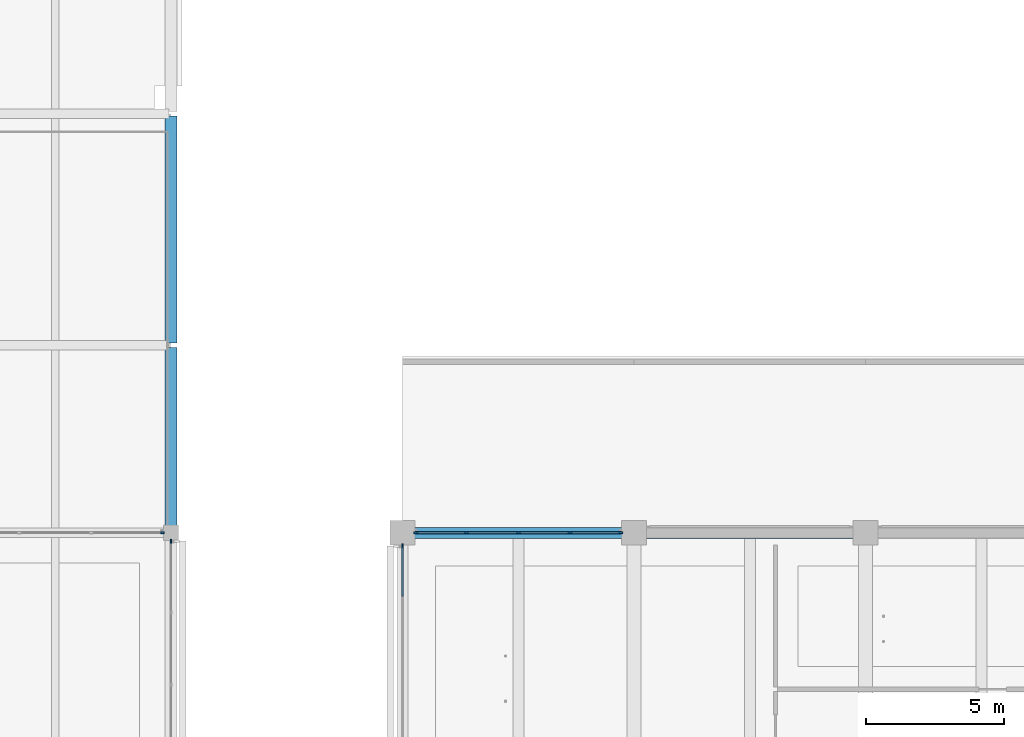
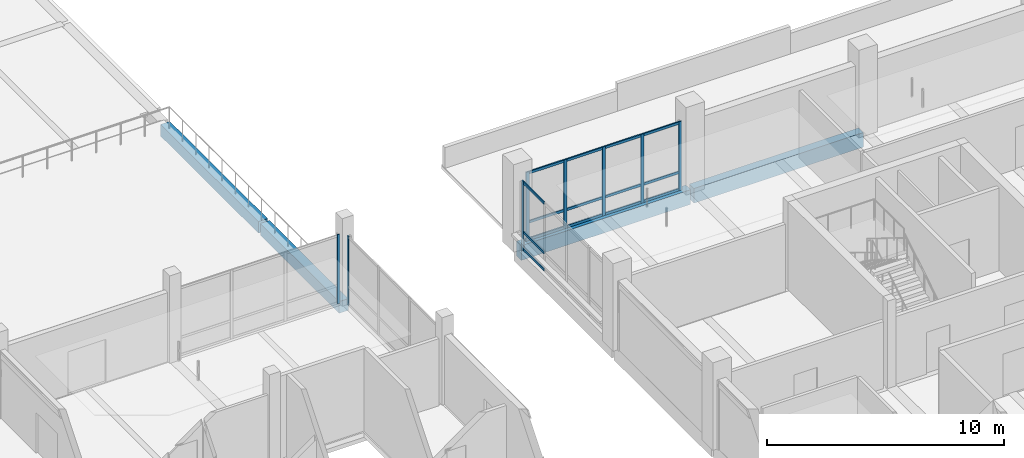
# One storey, part 11 of 59: 23 members, 4 beams, 4 elements without a shape of their own.
"""IFC4 building model written with IfcOpenShell, lengths in metres."""

from ifc_helpers import new_model, si_unit, direction, frame, origin, origin_2d, place, context, subcontext, project, spatial, rectangle, extrude, material, layer, layer_set, material_profile, profile_set, type_object, element, aggregate, save


model = new_model("IFC4")

# Units and contexts
model_context = context("Model", 3, precision=1e-05, world=origin(), true_north=direction((0.0, 1.0)))
body_context = subcontext(model_context, "Body", "Model", "MODEL_VIEW")
ifc_project = project(units=[si_unit("LENGTHUNIT", "METRE"), si_unit("AREAUNIT", "SQUARE_METRE"), si_unit("VOLUMEUNIT", "CUBIC_METRE"), si_unit("PLANEANGLEUNIT", "RADIAN"), si_unit("MASSUNIT", "GRAM", prefix="KILO")], contexts=[model_context])

# Site, building, storey
site_placement = place(None, origin())
site = spatial("IfcSite", under=ifc_project, at=site_placement, CompositionType="ELEMENT")
building_placement = place(site_placement, origin())
building = spatial("IfcBuilding", under=site, at=building_placement, Name="Telukmera Botanical Conservatory", CompositionType="ELEMENT")
storey_placement = place(building_placement, frame((0.0, 0.0, 15.0)))
storey = spatial("IfcBuildingStorey", under=building, at=storey_placement, Name="L03", CompositionType="ELEMENT", Elevation=15.0)

# Beams
ifc_material_1 = material(Name="Concrete C40/50", Category="concrete")
ifc_material_profile_1 = material_profile(ifc_material_1, rectangle(XDim=0.449951171875, YDim=0.60009765625, at=origin_2d()), Name="RC 450x600")
ifc_profile_set_1 = profile_set([ifc_material_profile_1], Name="Concrete C40/50")
beam_type_1 = type_object("IfcBeamType", Name="Beam_B17", PredefinedType="BEAM", material=ifc_profile_set_1)
beam_1_placement = place(storey_placement, frame((42.0, 42.8798828125, -0.300048828125), z_axis=(0.0, 1.0, 0.0), x_axis=(-1.0, 0.0, 0.0)))
element("IfcBeam", 1, at=beam_1_placement, inside=storey, type_object=beam_type_1, Name="Visitor Wing Transverse Beam L03", PredefinedType="BEAM", context=body_context, shape_type="SweptSolid", body=[
    extrude(rectangle(XDim=0.449951171875, YDim=0.60009765625, at=origin_2d()), origin(), (0.0, 0.0, 1.0), 6.64013671875),
])
beam_2_placement = place(storey_placement, frame((42.0, 49.679931640625, -0.300048828125), z_axis=(0.0, 1.0, 0.0), x_axis=(-1.0, 0.0, 0.0)))
element("IfcBeam", 2, at=beam_2_placement, inside=storey, type_object=beam_type_1, Name="Visitor Wing Transverse Beam L03", PredefinedType="BEAM", context=body_context, shape_type="SweptSolid", body=[
    extrude(rectangle(XDim=0.449951171875, YDim=0.60009765625, at=origin_2d()), origin(), (0.0, 0.0, 1.0), 8.239990234375),
])
ifc_material_2 = material(Name="Precast concrete C40/50", Category="concrete")
ifc_material_profile_2 = material_profile(ifc_material_2, rectangle(XDim=0.39990234375, YDim=0.75, at=origin_2d()), Name="PC 400x750")
ifc_profile_set_2 = profile_set([ifc_material_profile_2], Name="Precast concrete C40/50")
beam_type_2 = type_object("IfcBeamType", Name="Beam_SP1", PredefinedType="SPANDREL", material=ifc_profile_set_2)
beam_3_placement = place(storey_placement, frame((50.47998046875, 42.800048828125, -0.375), z_axis=(1.0, 0.0, 0.0), x_axis=(0.0, 1.0, 0.0)))
element("IfcBeam", 3, at=beam_3_placement, inside=storey, type_object=beam_type_2, Name="Tower Grid Beam L03", PredefinedType="SPANDREL", context=body_context, shape_type="SweptSolid", body=[
    extrude(rectangle(XDim=0.39990234375, YDim=0.75, at=origin_2d()), origin(), (0.0, 0.0, 1.0), 8.239990234375),
])
beam_4_placement = place(storey_placement, frame((58.8798828125, 42.800048828125, -0.375), z_axis=(1.0, 0.0, 0.0), x_axis=(0.0, 1.0, 0.0)))
element("IfcBeam", 4, at=beam_4_placement, inside=storey, type_object=beam_type_2, Name="Tower Grid Beam L03", PredefinedType="SPANDREL", context=body_context, shape_type="SweptSolid", body=[
    extrude(rectangle(XDim=0.39990234375, YDim=0.75, at=origin_2d()), origin(), (0.0, 0.0, 1.0), 8.240234375),
])

# Curtain wall, member
ifc_material_3 = material(Name="Anodised aluminium 6063-T6", Category="aluminium")
ifc_layer_1 = layer(ifc_material_3, 0.179931640625)
ifc_layer_set_1 = layer_set([ifc_layer_1], Name="Anodised aluminium 6063-T6")
curtain_wall_type_1 = type_object("IfcCurtainWallType", Name="Visitor Rooftop Lounge Terrace Curtain Wall", PredefinedType="USERDEFINED", material=ifc_layer_set_1)
curtain_wall_1_placement = place(storey_placement, origin())
curtain_wall_1 = element("IfcCurtainWall", 5, at=curtain_wall_1_placement, inside=storey, type_object=curtain_wall_type_1, Name="Unitised Curtain Wall CW11 V3:L03:N2", ObjectType="UNITISED CURTAIN WALL", PredefinedType="USERDEFINED")
ifc_material_profile_3 = material_profile(ifc_material_3, rectangle(XDim=0.06005859375, YDim=0.139892578125, at=origin_2d()), Name="ALU MULL 60x140")
ifc_profile_set_3 = profile_set([ifc_material_profile_3], Name="Anodised aluminium 6063-T6")
member_type_1 = type_object("IfcMemberType", Name="Curtain Wall Extruded Mullion 60x140", PredefinedType="MULLION", material=ifc_profile_set_3)
member_1_placement = place(storey_placement, frame((41.693115234375, 42.800048828125, 0.0), z_axis=(0.0, 0.0, 1.0), x_axis=(0.0, 1.0, 0.0)))
member_1 = element("IfcMember", 6, at=member_1_placement, type_object=member_type_1, Name="CW11 mullion 4", PredefinedType="MULLION", context=body_context, shape_type="SweptSolid", body=[
    extrude(rectangle(XDim=0.06005859375, YDim=0.139892578125, at=origin_2d()), origin(), (0.0, 0.0, 1.0), 3.550048828125),
])
aggregate(curtain_wall_1, [member_1])

curtain_wall_2_placement = place(storey_placement, origin())
curtain_wall_2 = element("IfcCurtainWall", 7, at=curtain_wall_2_placement, inside=storey, type_object=curtain_wall_type_1, Name="Unitised Curtain Wall CW11 V3:L03:E2", ObjectType="UNITISED CURTAIN WALL", PredefinedType="USERDEFINED")
member_2_placement = place(storey_placement, frame((42.0, 42.492919921875, 0.0), z_axis=(0.0, 0.0, 1.0), x_axis=(-1.0, 0.0, 0.0)))
member_2 = element("IfcMember", 8, at=member_2_placement, type_object=member_type_1, Name="CW11 mullion 4", PredefinedType="MULLION", context=body_context, shape_type="SweptSolid", body=[
    extrude(rectangle(XDim=0.06005859375, YDim=0.139892578125, at=origin_2d()), origin(), (0.0, 0.0, 1.0), 3.550048828125),
])
aggregate(curtain_wall_2, [member_2])

# Curtain wall, members
ifc_layer_2 = layer(ifc_material_3, 0.179931640625)
ifc_layer_set_2 = layer_set([ifc_layer_2], Name="Anodised aluminium 6063-T6")
curtain_wall_type_2 = type_object("IfcCurtainWallType", Name="Tower Herbarium Curation Corner Curtain Wall", PredefinedType="USERDEFINED", material=ifc_layer_set_2)
curtain_wall_3_placement = place(storey_placement, origin())
curtain_wall_3 = element("IfcCurtainWall", 9, at=curtain_wall_3_placement, inside=storey, type_object=curtain_wall_type_2, Name="Unitised Curtain Wall CW14 V4:L03:N1", ObjectType="UNITISED CURTAIN WALL", PredefinedType="USERDEFINED")
ifc_material_profile_4 = material_profile(ifc_material_3, rectangle(XDim=0.06494140625, YDim=0.159912109375, at=origin_2d()), Name="ALU MULL 65x160")
ifc_profile_set_4 = profile_set([ifc_material_profile_4], Name="Anodised aluminium 6063-T6")
member_type_2 = type_object("IfcMemberType", Name="Curtain Wall Extruded Mullion 65x160", PredefinedType="MULLION", material=ifc_profile_set_4)
member_3_placement = place(storey_placement, frame((50.884521484375, 42.800048828125, 0.0), z_axis=(0.0, 0.0, 1.0), x_axis=(0.0, 1.0, 0.0)))
member_3 = element("IfcMember", 10, at=member_3_placement, type_object=member_type_2, Name="CW14 mullion 1", PredefinedType="MULLION", context=body_context, shape_type="SweptSolid", body=[
    extrude(rectangle(XDim=0.06494140625, YDim=0.159912109375, at=origin_2d()), origin(), (0.0, 0.0, 1.0), 3.550048828125),
])
member_4_placement = place(storey_placement, frame((52.72607421875, 42.800048828125, 0.0), z_axis=(0.0, 0.0, 1.0), x_axis=(0.0, 1.0, 0.0)))
member_4 = element("IfcMember", 11, at=member_4_placement, type_object=member_type_2, Name="CW14 mullion 2", PredefinedType="MULLION", context=body_context, shape_type="SweptSolid", body=[
    extrude(rectangle(XDim=0.06494140625, YDim=0.159912109375, at=origin_2d()), origin(), (0.0, 0.0, 1.0), 3.550048828125),
])
member_5_placement = place(storey_placement, frame((54.60009765625, 42.800048828125, 0.0), z_axis=(0.0, 0.0, 1.0), x_axis=(0.0, 1.0, 0.0)))
member_5 = element("IfcMember", 12, at=member_5_placement, type_object=member_type_2, Name="CW14 mullion 3", PredefinedType="MULLION", context=body_context, shape_type="SweptSolid", body=[
    extrude(rectangle(XDim=0.06494140625, YDim=0.159912109375, at=origin_2d()), origin(), (0.0, 0.0, 1.0), 3.550048828125),
])
member_6_placement = place(storey_placement, frame((56.47412109375, 42.800048828125, 0.0), z_axis=(0.0, 0.0, 1.0), x_axis=(0.0, 1.0, 0.0)))
member_6 = element("IfcMember", 13, at=member_6_placement, type_object=member_type_2, Name="CW14 mullion 4", PredefinedType="MULLION", context=body_context, shape_type="SweptSolid", body=[
    extrude(rectangle(XDim=0.06494140625, YDim=0.159912109375, at=origin_2d()), origin(), (0.0, 0.0, 1.0), 3.550048828125),
])
member_7_placement = place(storey_placement, frame((58.3154296875, 42.800048828125, 0.0), z_axis=(0.0, 0.0, 1.0), x_axis=(0.0, 1.0, 0.0)))
member_7 = element("IfcMember", 14, at=member_7_placement, type_object=member_type_2, Name="CW14 mullion 5", PredefinedType="MULLION", context=body_context, shape_type="SweptSolid", body=[
    extrude(rectangle(XDim=0.06494140625, YDim=0.159912109375, at=origin_2d()), origin(), (0.0, 0.0, 1.0), 3.550048828125),
])

# Curtain wall, member
curtain_wall_4_placement = place(storey_placement, origin())
curtain_wall_4 = element("IfcCurtainWall", 15, at=curtain_wall_4_placement, inside=storey, type_object=curtain_wall_type_2, Name="Unitised Curtain Wall CW14 V4:L03:W4", ObjectType="UNITISED CURTAIN WALL", PredefinedType="USERDEFINED")
member_8_placement = place(storey_placement, frame((50.39990234375, 42.3154296875, 0.0), z_axis=(0.0, 0.0, 1.0), x_axis=(-1.0, 0.0, 0.0)))
member_8 = element("IfcMember", 16, at=member_8_placement, type_object=member_type_2, Name="CW14 mullion 5", PredefinedType="MULLION", context=body_context, shape_type="SweptSolid", body=[
    extrude(rectangle(XDim=0.06494140625, YDim=0.159912109375, at=origin_2d()), origin(), (0.0, 0.0, 1.0), 3.550048828125),
])

# Member
ifc_material_profile_5 = material_profile(ifc_material_3, rectangle(XDim=0.06494140625, YDim=0.1298828125, at=origin_2d()), Name="ALU TRAN 65x130")
ifc_profile_set_5 = profile_set([ifc_material_profile_5], Name="Anodised aluminium 6063-T6")
member_type_3 = type_object("IfcMemberType", Name="Curtain Wall Extruded Transom 65x130", PredefinedType="USERDEFINED", material=ifc_profile_set_5)
member_9_placement = place(storey_placement, frame((50.9169921875, 42.800048828125, 0.06494140625), z_axis=(1.0, 0.0, 0.0), x_axis=(0.0, 1.0, 0.0)))
member_9 = element("IfcMember", 17, at=member_9_placement, type_object=member_type_3, Name="CW14 transom 1.1", ObjectType="TRANSOM", PredefinedType="USERDEFINED", context=body_context, shape_type="SweptSolid", body=[
    extrude(rectangle(XDim=0.06494140625, YDim=0.1298828125, at=origin_2d()), origin(), (0.0, 0.0, 1.0), 1.776611328125),
])

member_10_placement = place(storey_placement, frame((50.9169921875, 42.800048828125, 0.949951171875), z_axis=(1.0, 0.0, 0.0), x_axis=(0.0, 1.0, 0.0)))
member_10 = element("IfcMember", 18, at=member_10_placement, type_object=member_type_3, Name="CW14 transom 1.2", ObjectType="TRANSOM", PredefinedType="USERDEFINED", context=body_context, shape_type="SweptSolid", body=[
    extrude(rectangle(XDim=0.06494140625, YDim=0.1298828125, at=origin_2d()), origin(), (0.0, 0.0, 1.0), 1.776611328125),
])

member_11_placement = place(storey_placement, frame((50.9169921875, 42.800048828125, 3.485107421875), z_axis=(1.0, 0.0, 0.0), x_axis=(0.0, 1.0, 0.0)))
member_11 = element("IfcMember", 19, at=member_11_placement, type_object=member_type_3, Name="CW14 transom 1.3", ObjectType="TRANSOM", PredefinedType="USERDEFINED", context=body_context, shape_type="SweptSolid", body=[
    extrude(rectangle(XDim=0.06494140625, YDim=0.1298828125, at=origin_2d()), origin(), (0.0, 0.0, 1.0), 1.776611328125),
])

member_12_placement = place(storey_placement, frame((52.758544921875, 42.800048828125, 0.06494140625), z_axis=(1.0, 0.0, 0.0), x_axis=(0.0, 1.0, 0.0)))
member_12 = element("IfcMember", 20, at=member_12_placement, type_object=member_type_3, Name="CW14 transom 2.1", ObjectType="TRANSOM", PredefinedType="USERDEFINED", context=body_context, shape_type="SweptSolid", body=[
    extrude(rectangle(XDim=0.06494140625, YDim=0.1298828125, at=origin_2d()), origin(), (0.0, 0.0, 1.0), 1.808837890625),
])

member_13_placement = place(storey_placement, frame((52.758544921875, 42.800048828125, 0.949951171875), z_axis=(1.0, 0.0, 0.0), x_axis=(0.0, 1.0, 0.0)))
member_13 = element("IfcMember", 21, at=member_13_placement, type_object=member_type_3, Name="CW14 transom 2.2", ObjectType="TRANSOM", PredefinedType="USERDEFINED", context=body_context, shape_type="SweptSolid", body=[
    extrude(rectangle(XDim=0.06494140625, YDim=0.1298828125, at=origin_2d()), origin(), (0.0, 0.0, 1.0), 1.808837890625),
])

member_14_placement = place(storey_placement, frame((52.758544921875, 42.800048828125, 3.485107421875), z_axis=(1.0, 0.0, 0.0), x_axis=(0.0, 1.0, 0.0)))
member_14 = element("IfcMember", 22, at=member_14_placement, type_object=member_type_3, Name="CW14 transom 2.3", ObjectType="TRANSOM", PredefinedType="USERDEFINED", context=body_context, shape_type="SweptSolid", body=[
    extrude(rectangle(XDim=0.06494140625, YDim=0.1298828125, at=origin_2d()), origin(), (0.0, 0.0, 1.0), 1.808837890625),
])

member_15_placement = place(storey_placement, frame((54.632568359375, 42.800048828125, 0.06494140625), z_axis=(1.0, 0.0, 0.0), x_axis=(0.0, 1.0, 0.0)))
member_15 = element("IfcMember", 23, at=member_15_placement, type_object=member_type_3, Name="CW14 transom 3.1", ObjectType="TRANSOM", PredefinedType="USERDEFINED", context=body_context, shape_type="SweptSolid", body=[
    extrude(rectangle(XDim=0.06494140625, YDim=0.1298828125, at=origin_2d()), origin(), (0.0, 0.0, 1.0), 1.808837890625),
])

member_16_placement = place(storey_placement, frame((54.632568359375, 42.800048828125, 0.949951171875), z_axis=(1.0, 0.0, 0.0), x_axis=(0.0, 1.0, 0.0)))
member_16 = element("IfcMember", 24, at=member_16_placement, type_object=member_type_3, Name="CW14 transom 3.2", ObjectType="TRANSOM", PredefinedType="USERDEFINED", context=body_context, shape_type="SweptSolid", body=[
    extrude(rectangle(XDim=0.06494140625, YDim=0.1298828125, at=origin_2d()), origin(), (0.0, 0.0, 1.0), 1.808837890625),
])

member_17_placement = place(storey_placement, frame((54.632568359375, 42.800048828125, 3.485107421875), z_axis=(1.0, 0.0, 0.0), x_axis=(0.0, 1.0, 0.0)))
member_17 = element("IfcMember", 25, at=member_17_placement, type_object=member_type_3, Name="CW14 transom 3.3", ObjectType="TRANSOM", PredefinedType="USERDEFINED", context=body_context, shape_type="SweptSolid", body=[
    extrude(rectangle(XDim=0.06494140625, YDim=0.1298828125, at=origin_2d()), origin(), (0.0, 0.0, 1.0), 1.808837890625),
])

member_18_placement = place(storey_placement, frame((56.506591796875, 42.800048828125, 0.06494140625), z_axis=(1.0, 0.0, 0.0), x_axis=(0.0, 1.0, 0.0)))
member_18 = element("IfcMember", 26, at=member_18_placement, type_object=member_type_3, Name="CW14 transom 4.1", ObjectType="TRANSOM", PredefinedType="USERDEFINED", context=body_context, shape_type="SweptSolid", body=[
    extrude(rectangle(XDim=0.06494140625, YDim=0.1298828125, at=origin_2d()), origin(), (0.0, 0.0, 1.0), 1.7763671875),
])

member_19_placement = place(storey_placement, frame((56.506591796875, 42.800048828125, 0.949951171875), z_axis=(1.0, 0.0, 0.0), x_axis=(0.0, 1.0, 0.0)))
member_19 = element("IfcMember", 27, at=member_19_placement, type_object=member_type_3, Name="CW14 transom 4.2", ObjectType="TRANSOM", PredefinedType="USERDEFINED", context=body_context, shape_type="SweptSolid", body=[
    extrude(rectangle(XDim=0.06494140625, YDim=0.1298828125, at=origin_2d()), origin(), (0.0, 0.0, 1.0), 1.7763671875),
])

member_20_placement = place(storey_placement, frame((56.506591796875, 42.800048828125, 3.485107421875), z_axis=(1.0, 0.0, 0.0), x_axis=(0.0, 1.0, 0.0)))
member_20 = element("IfcMember", 28, at=member_20_placement, type_object=member_type_3, Name="CW14 transom 4.3", ObjectType="TRANSOM", PredefinedType="USERDEFINED", context=body_context, shape_type="SweptSolid", body=[
    extrude(rectangle(XDim=0.06494140625, YDim=0.1298828125, at=origin_2d()), origin(), (0.0, 0.0, 1.0), 1.7763671875),
])

aggregate(curtain_wall_3, [member_3, member_4, member_5, member_6, member_7, member_9, member_10, member_11, member_12, member_13, member_14, member_15, member_16, member_17, member_18, member_19, member_20])

member_21_placement = place(storey_placement, frame((50.39990234375, 40.506591796875, 0.06494140625), z_axis=(0.0, 1.0, 0.0), x_axis=(-1.0, 0.0, 0.0)))
member_21 = element("IfcMember", 29, at=member_21_placement, type_object=member_type_3, Name="CW14 transom 4.1", ObjectType="TRANSOM", PredefinedType="USERDEFINED", context=body_context, shape_type="SweptSolid", body=[
    extrude(rectangle(XDim=0.06494140625, YDim=0.1298828125, at=origin_2d()), origin(), (0.0, 0.0, 1.0), 1.7763671875),
])

member_22_placement = place(storey_placement, frame((50.39990234375, 40.506591796875, 0.949951171875), z_axis=(0.0, 1.0, 0.0), x_axis=(-1.0, 0.0, 0.0)))
member_22 = element("IfcMember", 30, at=member_22_placement, type_object=member_type_3, Name="CW14 transom 4.2", ObjectType="TRANSOM", PredefinedType="USERDEFINED", context=body_context, shape_type="SweptSolid", body=[
    extrude(rectangle(XDim=0.06494140625, YDim=0.1298828125, at=origin_2d()), origin(), (0.0, 0.0, 1.0), 1.7763671875),
])

member_23_placement = place(storey_placement, frame((50.39990234375, 40.506591796875, 3.485107421875), z_axis=(0.0, 1.0, 0.0), x_axis=(-1.0, 0.0, 0.0)))
member_23 = element("IfcMember", 31, at=member_23_placement, type_object=member_type_3, Name="CW14 transom 4.3", ObjectType="TRANSOM", PredefinedType="USERDEFINED", context=body_context, shape_type="SweptSolid", body=[
    extrude(rectangle(XDim=0.06494140625, YDim=0.1298828125, at=origin_2d()), origin(), (0.0, 0.0, 1.0), 1.7763671875),
])

aggregate(curtain_wall_4, [member_8, member_21, member_22, member_23])

save(model, "model.ifc")
